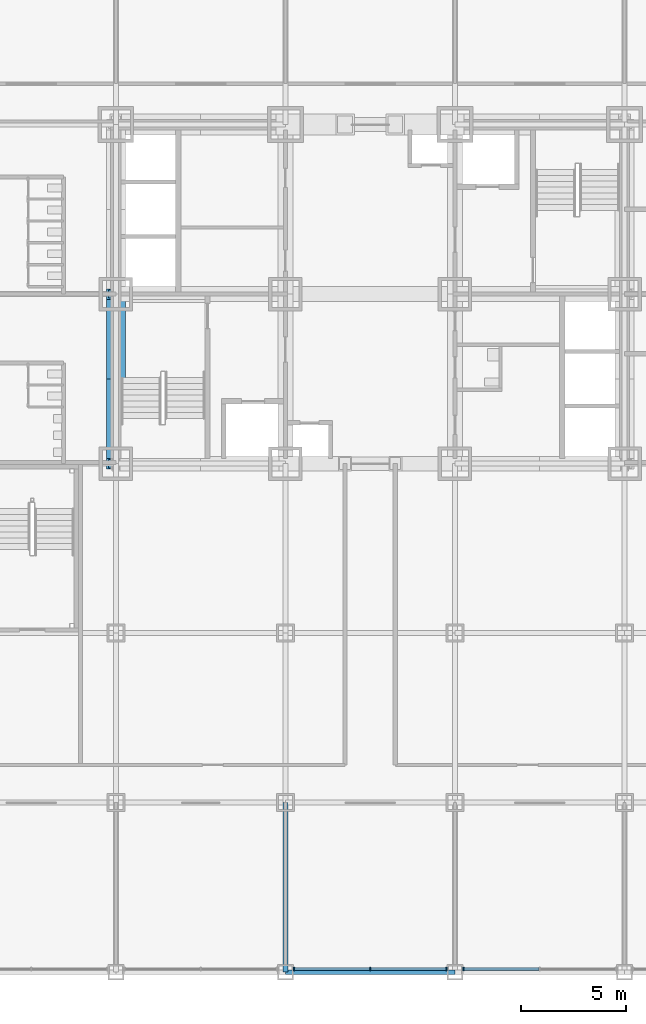
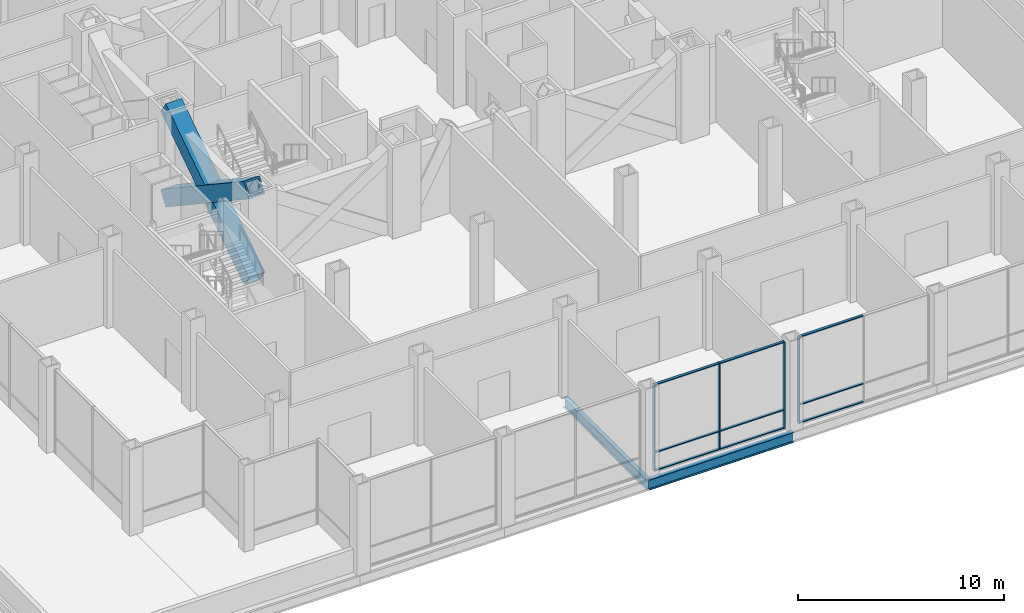
# One storey, part 9 of 26: 15 members, 2 beams, 2 elements without a shape of their own.
"""IFC4 building model written with IfcOpenShell, lengths in metres."""

from ifc_helpers import new_model, si_unit, direction, frame, origin, origin_2d, place, context, subcontext, project, spatial, rectangle, hollow_rectangle, i_section, extrude, material, material_profile, profile_set, type_object, element, aggregate, save


model = new_model("IFC4")

# Units and contexts
model_context = context("Model", 3, precision=1e-05, world=origin(), true_north=direction((0.0, 1.0)))
body_context = subcontext(model_context, "Body", "Model", "MODEL_VIEW")
ifc_project = project(units=[si_unit("LENGTHUNIT", "METRE"), si_unit("AREAUNIT", "SQUARE_METRE"), si_unit("VOLUMEUNIT", "CUBIC_METRE"), si_unit("PLANEANGLEUNIT", "RADIAN"), si_unit("MASSUNIT", "GRAM", prefix="KILO")], contexts=[model_context])

# Site, building, storey
site_placement = place(None, origin())
site = spatial("IfcSite", under=ifc_project, at=site_placement, CompositionType="ELEMENT")
building_placement = place(site_placement, origin())
building = spatial("IfcBuilding", under=site, at=building_placement, Name="Kopane Lantern Tower", CompositionType="ELEMENT")
storey_placement = place(building_placement, frame((0.0, 0.0, 16.800048828125)))
storey = spatial("IfcBuildingStorey", under=building, at=storey_placement, Name="L03", CompositionType="ELEMENT", Elevation=16.800048828125)

# Members
ifc_material_1 = material(Name="Steel S355JR", Category="steel")
ifc_material_profile_1 = material_profile(ifc_material_1, hollow_rectangle(XDim=0.89990234375, YDim=0.89990234375, WallThickness=0.090087890625, at=origin_2d()), Name="BOX 900x900x90")
ifc_profile_set_1 = profile_set([ifc_material_profile_1], Name="Steel S355JR")
member_type_1 = type_object("IfcMemberType", Name="BRACE BOX 900x900x90", PredefinedType="BRACE", material=ifc_profile_set_1)
for number, where, z_axis, x_axis, name in (
    (1, (16.199951171875, 24.300048828125, -0.25), (0.0, 0.832050294338, 0.554700196225), (-1.0, 0.0, 0.0), "Core brace L03"),
    (2, (16.199951171875, 32.39990234375, -0.25), (0.0, -0.832050294338, 0.554700196225), (1.0, 0.0, 0.0), "Core brace L03"),
):
    element("IfcMember", number, at=place(storey_placement, frame(where, z_axis=z_axis, x_axis=x_axis)), inside=storey, type_object=member_type_1, Name=name, PredefinedType="BRACE", context=body_context, shape_type="SweptSolid", body=[
        extrude(hollow_rectangle(XDim=0.89990234375, YDim=0.89990234375, WallThickness=0.090087890625, at=origin_2d()), origin(), (0.0, 0.0, 1.0), 9.73486328125),
    ])

# Beams
ifc_material_2 = material(Name="Steel S355JR", Category="steel")
ifc_material_profile_2 = material_profile(ifc_material_2, i_section(OverallWidth=0.22900390625, OverallDepth=0.6123046875, WebThickness=0.011962890625, FlangeThickness=0.01953125, FilletRadius=0.0126953125, at=origin_2d()), Name="UB 610x229x125")
ifc_profile_set_2 = profile_set([ifc_material_profile_2], Name="Steel S355JR")
beam_type = type_object("IfcBeamType", Name="GIRDER UB 610x229x125", PredefinedType="BEAM", material=ifc_profile_set_2)
beam_1_placement = place(storey_placement, frame((24.300048828125, 0.0, -0.55615234375), z_axis=(0.0, 1.0, 0.0), x_axis=(-1.0, 0.0, 0.0)))
element("IfcBeam", 3, at=beam_1_placement, inside=storey, type_object=beam_type, Name="Girder L03", PredefinedType="BEAM", context=body_context, shape_type="SweptSolid", body=[
    extrude(i_section(OverallWidth=0.22900390625, OverallDepth=0.6123046875, WebThickness=0.011962890625, FlangeThickness=0.01953125, FilletRadius=0.0126953125, at=origin_2d()), origin(), (0.0, 0.0, 1.0), 8.10009765625),
])
beam_2_placement = place(storey_placement, frame((24.300048828125, 0.0, -0.55615234375), z_axis=(1.0, 0.0, 0.0), x_axis=(0.0, 1.0, 0.0)))
element("IfcBeam", 4, at=beam_2_placement, inside=storey, type_object=beam_type, Name="Girder L03", PredefinedType="BEAM", context=body_context, shape_type="SweptSolid", body=[
    extrude(i_section(OverallWidth=0.22900390625, OverallDepth=0.6123046875, WebThickness=0.011962890625, FlangeThickness=0.01953125, FilletRadius=0.0126953125, at=origin_2d()), origin(), (0.0, 0.0, 1.0), 8.099853515625),
])

# Curtain wall, members
ifc_material_3 = material(Name="Aluminium and clear glass", Category="aluminium")
curtain_wall_type = type_object("IfcCurtainWallType", Name="CURTAIN WALL CW2 PODIUM UPPER", PredefinedType="USERDEFINED", material=ifc_material_3)
curtain_wall_1_placement = place(storey_placement, origin())
curtain_wall_1 = element("IfcCurtainWall", 5, at=curtain_wall_1_placement, inside=storey, type_object=curtain_wall_type, Name="Curtain wall CW2 S L03", ObjectType="CURTAIN WALL", PredefinedType="USERDEFINED")
ifc_material_4 = material(Name="Aluminium", Category="aluminium")
ifc_material_profile_3 = material_profile(ifc_material_4, rectangle(XDim=0.06005859375, YDim=0.179931640625, at=origin_2d()), Name="AL 60x180")
ifc_profile_set_3 = profile_set([ifc_material_profile_3], Name="Aluminium")
member_type_2 = type_object("IfcMemberType", Name="MULLION CW2-M 60x180", PredefinedType="MULLION", material=ifc_profile_set_3)
member_1_placement = place(storey_placement, frame((24.7099609375, 0.14990234375, 0.0), z_axis=(0.0, 0.0, 1.0), x_axis=(1.0, 0.0, 0.0)))
member_1 = element("IfcMember", 6, at=member_1_placement, type_object=member_type_2, Name="CW2 mullion 1", PredefinedType="MULLION", context=body_context, shape_type="SweptSolid", body=[
    extrude(rectangle(XDim=0.06005859375, YDim=0.179931640625, at=origin_2d()), origin(), (0.0, 0.0, 1.0), 5.14990234375),
])
member_2_placement = place(storey_placement, frame((28.35009765625, 0.14990234375, 0.0), z_axis=(0.0, 0.0, 1.0), x_axis=(1.0, 0.0, 0.0)))
member_2 = element("IfcMember", 7, at=member_2_placement, type_object=member_type_2, Name="CW2 mullion 2", PredefinedType="MULLION", context=body_context, shape_type="SweptSolid", body=[
    extrude(rectangle(XDim=0.06005859375, YDim=0.179931640625, at=origin_2d()), origin(), (0.0, 0.0, 1.0), 5.14990234375),
])
member_3_placement = place(storey_placement, frame((31.989990234375, 0.14990234375, 0.0), z_axis=(0.0, 0.0, 1.0), x_axis=(1.0, 0.0, 0.0)))
member_3 = element("IfcMember", 8, at=member_3_placement, type_object=member_type_2, Name="CW2 mullion 3", PredefinedType="MULLION", context=body_context, shape_type="SweptSolid", body=[
    extrude(rectangle(XDim=0.06005859375, YDim=0.179931640625, at=origin_2d()), origin(), (0.0, 0.0, 1.0), 5.14990234375),
])

# Curtain wall, member
curtain_wall_2_placement = place(storey_placement, origin())
curtain_wall_2 = element("IfcCurtainWall", 9, at=curtain_wall_2_placement, inside=storey, type_object=curtain_wall_type, Name="Curtain wall CW2 S L03", ObjectType="CURTAIN WALL", PredefinedType="USERDEFINED")
member_4_placement = place(storey_placement, frame((32.81005859375, 0.14990234375, 0.0), z_axis=(0.0, 0.0, 1.0), x_axis=(1.0, 0.0, 0.0)))
member_4 = element("IfcMember", 10, at=member_4_placement, type_object=member_type_2, Name="CW2 mullion 1", PredefinedType="MULLION", context=body_context, shape_type="SweptSolid", body=[
    extrude(rectangle(XDim=0.06005859375, YDim=0.179931640625, at=origin_2d()), origin(), (0.0, 0.0, 1.0), 5.14990234375),
])

# Member
ifc_material_5 = material(Name="Aluminium", Category="aluminium")
ifc_material_profile_4 = material_profile(ifc_material_5, rectangle(XDim=0.139892578125, YDim=0.06005859375, at=origin_2d()), Name="AL 140x60")
ifc_profile_set_4 = profile_set([ifc_material_profile_4], Name="Aluminium")
member_type_3 = type_object("IfcMemberType", Name="TRANSOM CW2-T 60x140", PredefinedType="USERDEFINED", material=ifc_profile_set_4)
member_5_placement = place(storey_placement, frame((24.739990234375, 0.14990234375, 0.030029296875), z_axis=(1.0, 0.0, 0.0), x_axis=(0.0, 1.0, 0.0)))
member_5 = element("IfcMember", 11, at=member_5_placement, type_object=member_type_3, Name="CW2 transom 1.1", ObjectType="TRANSOM", PredefinedType="USERDEFINED", context=body_context, shape_type="SweptSolid", body=[
    extrude(rectangle(XDim=0.139892578125, YDim=0.06005859375, at=origin_2d()), origin(), (0.0, 0.0, 1.0), 3.580078125),
])

member_6_placement = place(storey_placement, frame((24.739990234375, 0.14990234375, 1.099853515625), z_axis=(1.0, 0.0, 0.0), x_axis=(0.0, 1.0, 0.0)))
member_6 = element("IfcMember", 12, at=member_6_placement, type_object=member_type_3, Name="CW2 transom 1.2", ObjectType="TRANSOM", PredefinedType="USERDEFINED", context=body_context, shape_type="SweptSolid", body=[
    extrude(rectangle(XDim=0.139892578125, YDim=0.06005859375, at=origin_2d()), origin(), (0.0, 0.0, 1.0), 3.580078125),
])

member_7_placement = place(storey_placement, frame((24.739990234375, 0.14990234375, 5.119873046875), z_axis=(1.0, 0.0, 0.0), x_axis=(0.0, 1.0, 0.0)))
member_7 = element("IfcMember", 13, at=member_7_placement, type_object=member_type_3, Name="CW2 transom 1.3", ObjectType="TRANSOM", PredefinedType="USERDEFINED", context=body_context, shape_type="SweptSolid", body=[
    extrude(rectangle(XDim=0.139892578125, YDim=0.06005859375, at=origin_2d()), origin(), (0.0, 0.0, 1.0), 3.580078125),
])

member_8_placement = place(storey_placement, frame((28.3798828125, 0.14990234375, 0.030029296875), z_axis=(1.0, 0.0, 0.0), x_axis=(0.0, 1.0, 0.0)))
member_8 = element("IfcMember", 14, at=member_8_placement, type_object=member_type_3, Name="CW2 transom 2.1", ObjectType="TRANSOM", PredefinedType="USERDEFINED", context=body_context, shape_type="SweptSolid", body=[
    extrude(rectangle(XDim=0.139892578125, YDim=0.06005859375, at=origin_2d()), origin(), (0.0, 0.0, 1.0), 3.580078125),
])

member_9_placement = place(storey_placement, frame((28.3798828125, 0.14990234375, 1.099853515625), z_axis=(1.0, 0.0, 0.0), x_axis=(0.0, 1.0, 0.0)))
member_9 = element("IfcMember", 15, at=member_9_placement, type_object=member_type_3, Name="CW2 transom 2.2", ObjectType="TRANSOM", PredefinedType="USERDEFINED", context=body_context, shape_type="SweptSolid", body=[
    extrude(rectangle(XDim=0.139892578125, YDim=0.06005859375, at=origin_2d()), origin(), (0.0, 0.0, 1.0), 3.580078125),
])

member_10_placement = place(storey_placement, frame((28.3798828125, 0.14990234375, 5.119873046875), z_axis=(1.0, 0.0, 0.0), x_axis=(0.0, 1.0, 0.0)))
member_10 = element("IfcMember", 16, at=member_10_placement, type_object=member_type_3, Name="CW2 transom 2.3", ObjectType="TRANSOM", PredefinedType="USERDEFINED", context=body_context, shape_type="SweptSolid", body=[
    extrude(rectangle(XDim=0.139892578125, YDim=0.06005859375, at=origin_2d()), origin(), (0.0, 0.0, 1.0), 3.580078125),
])

aggregate(curtain_wall_1, [member_1, member_2, member_3, member_5, member_6, member_7, member_8, member_9, member_10])

member_11_placement = place(storey_placement, frame((32.840087890625, 0.14990234375, 0.030029296875), z_axis=(1.0, 0.0, 0.0), x_axis=(0.0, 1.0, 0.0)))
member_11 = element("IfcMember", 17, at=member_11_placement, type_object=member_type_3, Name="CW2 transom 1.1", ObjectType="TRANSOM", PredefinedType="USERDEFINED", context=body_context, shape_type="SweptSolid", body=[
    extrude(rectangle(XDim=0.139892578125, YDim=0.06005859375, at=origin_2d()), origin(), (0.0, 0.0, 1.0), 3.579833984375),
])

member_12_placement = place(storey_placement, frame((32.840087890625, 0.14990234375, 1.099853515625), z_axis=(1.0, 0.0, 0.0), x_axis=(0.0, 1.0, 0.0)))
member_12 = element("IfcMember", 18, at=member_12_placement, type_object=member_type_3, Name="CW2 transom 1.2", ObjectType="TRANSOM", PredefinedType="USERDEFINED", context=body_context, shape_type="SweptSolid", body=[
    extrude(rectangle(XDim=0.139892578125, YDim=0.06005859375, at=origin_2d()), origin(), (0.0, 0.0, 1.0), 3.579833984375),
])

member_13_placement = place(storey_placement, frame((32.840087890625, 0.14990234375, 5.119873046875), z_axis=(1.0, 0.0, 0.0), x_axis=(0.0, 1.0, 0.0)))
member_13 = element("IfcMember", 19, at=member_13_placement, type_object=member_type_3, Name="CW2 transom 1.3", ObjectType="TRANSOM", PredefinedType="USERDEFINED", context=body_context, shape_type="SweptSolid", body=[
    extrude(rectangle(XDim=0.139892578125, YDim=0.06005859375, at=origin_2d()), origin(), (0.0, 0.0, 1.0), 3.579833984375),
])

aggregate(curtain_wall_2, [member_4, member_11, member_12, member_13])

save(model, "model.ifc")
